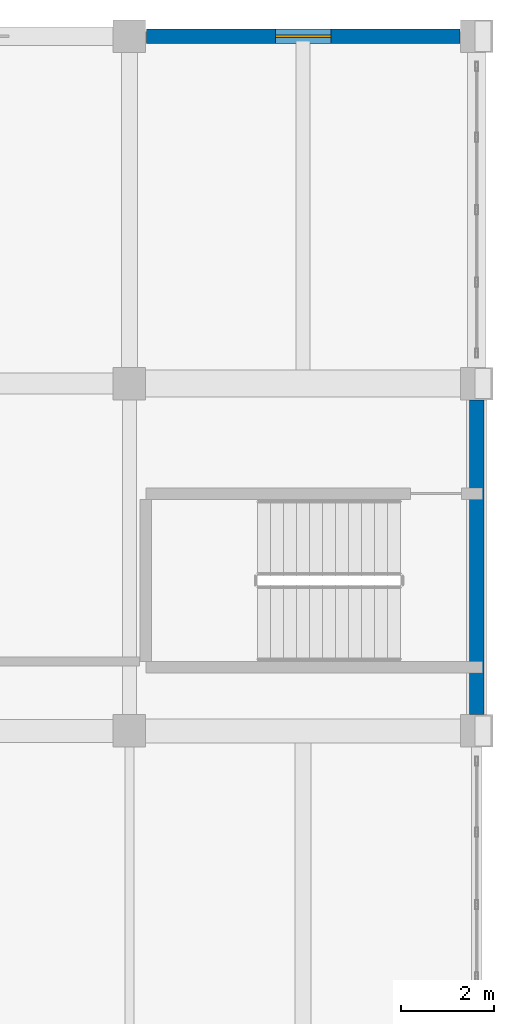
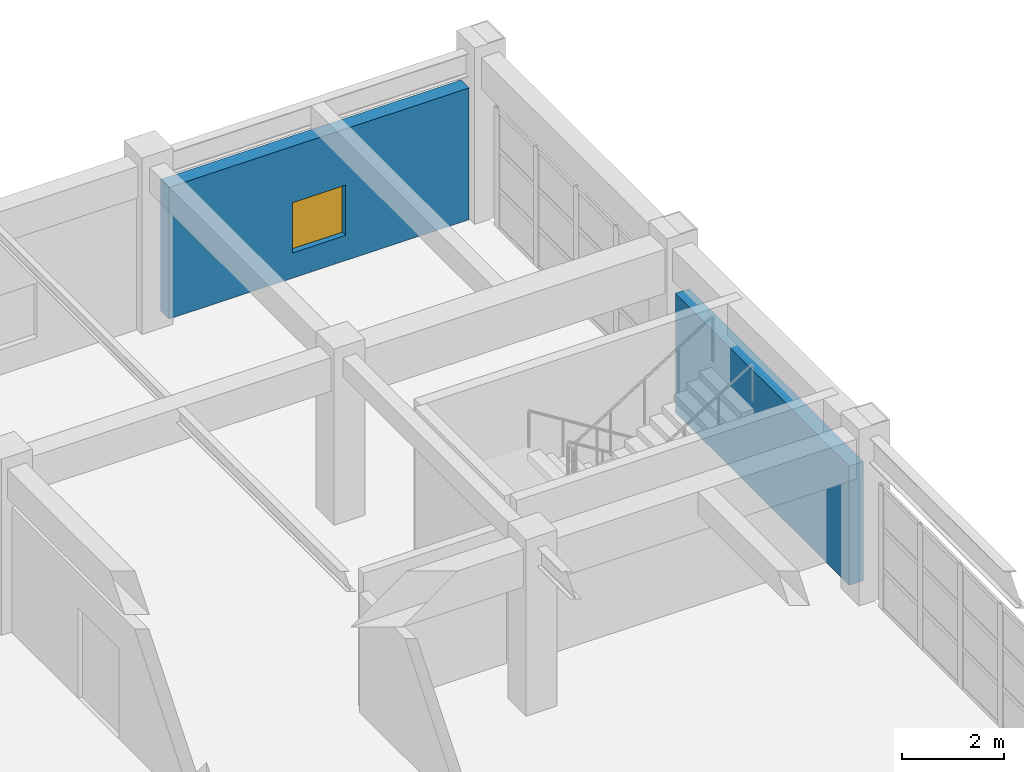
# One storey, part 109 of 132: 2 walls, 1 window, 1 opening.
"""IFC4 building model written with IfcOpenShell, lengths in metres."""

from ifc_helpers import new_model, si_unit, direction, frame, frame_2d, origin, place, context, subcontext, project, spatial, rectangle, extrude, material, layer, layer_set, type_object, element, fill, save


model = new_model("IFC4")

# Units and contexts
model_context = context("Model", 3, precision=1e-05, world=origin(), true_north=direction((0.0, 1.0)))
body_context = subcontext(model_context, "Body", "Model", "MODEL_VIEW")
ifc_project = project(units=[si_unit("LENGTHUNIT", "METRE"), si_unit("AREAUNIT", "SQUARE_METRE"), si_unit("VOLUMEUNIT", "CUBIC_METRE"), si_unit("PLANEANGLEUNIT", "RADIAN"), si_unit("MASSUNIT", "GRAM", prefix="KILO")], contexts=[model_context])

# Site, building, storey
site_placement = place(None, origin())
site = spatial("IfcSite", under=ifc_project, at=site_placement, CompositionType="ELEMENT")
building_placement = place(site_placement, origin())
building = spatial("IfcBuilding", under=site, at=building_placement, Name="Qasida Concert Hall", CompositionType="ELEMENT")
storey_placement = place(building_placement, frame((0.0, 0.0, 4.800048828125)))
storey = spatial("IfcBuildingStorey", under=building, at=storey_placement, Name="L01", CompositionType="ELEMENT", Elevation=4.800048828125)

# Wall, opening, window
ifc_material_1 = material(Name="Precast concrete C40/50", Category="concrete")
ifc_layer = layer(ifc_material_1, 0.320068359375, Name="Precast concrete C40/50")
ifc_layer_set = layer_set([ifc_layer], Name="Precast concrete C40/50")
wall_type = type_object("IfcWallType", Name="WL-EW-320", PredefinedType="SOLIDWALL", material=ifc_layer_set)
wall_1_placement = place(storey_placement, frame((157.864990234375, 112.5, 0.0), z_axis=(0.0, 0.0, 1.0), x_axis=(1.0, 0.0, 0.0)))
wall_1 = element("IfcWall", 1, at=wall_1_placement, inside=storey, type_object=wall_type, Name="L01 exterior wall EW-320 0192", PredefinedType="SOLIDWALL", context=body_context, shape_type="SweptSolid", body=[
    extrude(rectangle(XDim=6.77001953125, YDim=0.320068359375, at=frame_2d((3.385009765625, 0.0))), origin(), (0.0, 0.0, 1.0), 3.139892578125),
])
opening_placement = place(wall_1_placement, frame((2.784912109375, 0.0, 0.60009765625)))
opening = element("IfcOpeningElement", 2, at=opening_placement, cuts=wall_1, Name="Opening WN-17", PredefinedType="OPENING", context=body_context, shape_type="SweptSolid", body=[
    extrude(rectangle(XDim=1.199951171875, YDim=1.199951171875, at=frame_2d((0.60009765625, 0.60009765625))), frame((0.0, 0.169921875, 0.0), z_axis=(0.0, -1.0, 0.0), x_axis=(1.0, 0.0, 0.0)), (0.0, 0.0, 1.0), 0.340087890625),
])
ifc_material_2 = material(Name="Bronze-anodized aluminium frame with acoustic low-E glazing", Category="aluminium")
window_type = type_object("IfcWindowType", Name="WN-17", PartitioningType="SINGLE_PANEL", PredefinedType="WINDOW", material=ifc_material_2)
window_placement = place(opening_placement, origin())
window = element("IfcWindow", 3, at=window_placement, inside=storey, type_object=window_type, Name="L01 window WN-17 0097", OverallHeight=1.199951171875, OverallWidth=1.199951171875, PartitioningType="SINGLE_PANEL", PredefinedType="WINDOW", context=body_context, shape_type="SweptSolid", body=[
    extrude(rectangle(XDim=1.199951171875, YDim=1.199951171875, at=frame_2d((0.60009765625, 0.60009765625))), frame((0.0, 0.030029296875, 0.0), z_axis=(0.0, -1.0, 0.0), x_axis=(1.0, 0.0, 0.0)), (0.0, 0.0, 1.0), 0.06005859375),
])
fill(opening, window)

# Wall
wall_2_placement = place(storey_placement, frame((165.0, 97.85498046875, 0.0), z_axis=(0.0, 0.0, 1.0), x_axis=(0.0, 1.0, 0.0)))
element("IfcWall", 4, at=wall_2_placement, inside=storey, type_object=wall_type, Name="L01 exterior wall EW-320 0196", PredefinedType="SOLIDWALL", context=body_context, shape_type="SweptSolid", body=[
    extrude(rectangle(XDim=6.7900390625, YDim=0.320068359375, at=frame_2d((3.39501953125, 0.0))), origin(), (0.0, 0.0, 1.0), 2.83984375),
])

save(model, "model.ifc")
